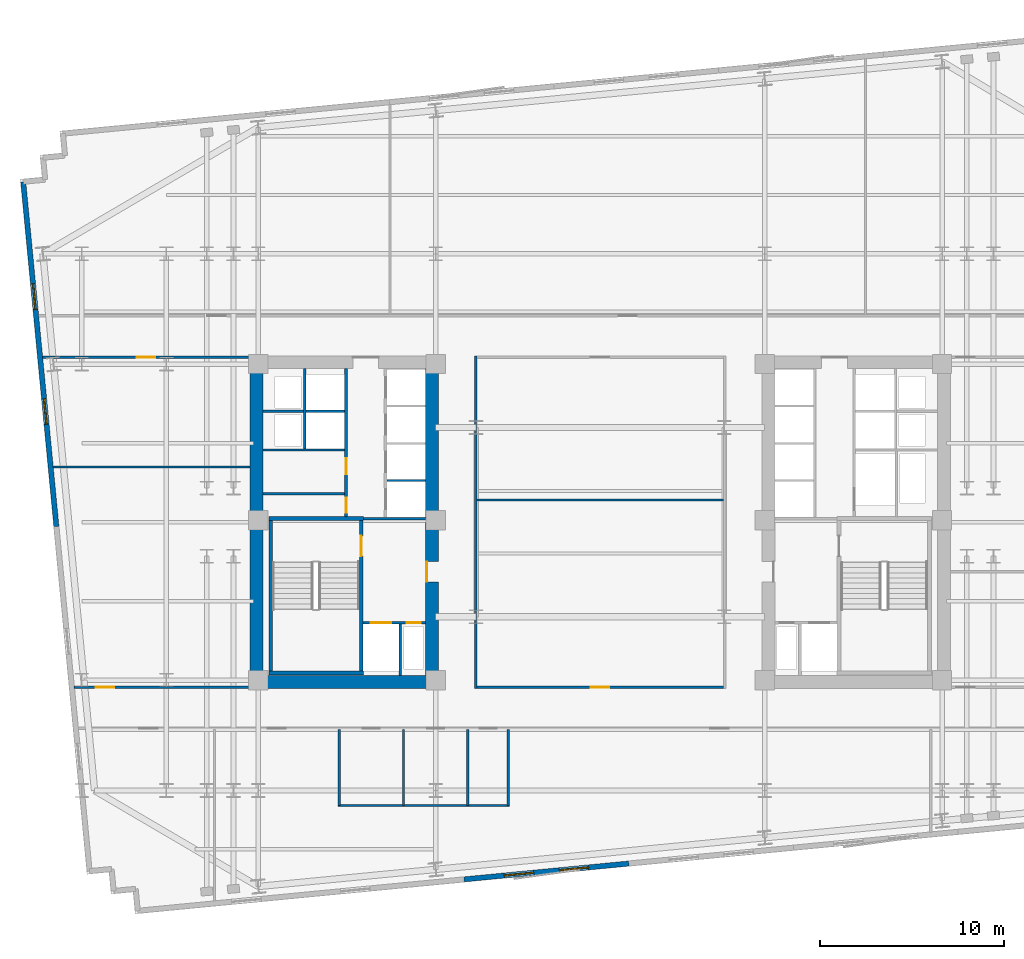
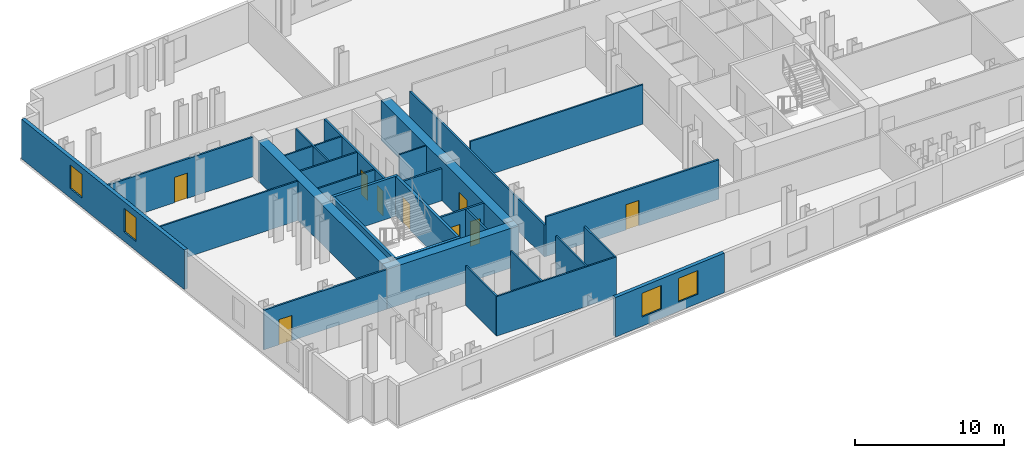
# One storey, part 4 of 10: 30 walls, 9 doors, 4 windows, 13 openings.
"""IFC4 building model written with IfcOpenShell, lengths in metres."""

from ifc_helpers import new_model, si_unit, direction, frame, frame_2d, origin, place, context, subcontext, project, spatial, rectangle, extrude, material, layer, layer_set, type_object, element, fill, save


model = new_model("IFC4")

# Units and contexts
model_context = context("Model", 3, precision=1e-05, world=origin(), true_north=direction((0.0, 1.0)))
body_context = subcontext(model_context, "Body", "Model", "MODEL_VIEW")
ifc_project = project(units=[si_unit("LENGTHUNIT", "METRE"), si_unit("AREAUNIT", "SQUARE_METRE"), si_unit("VOLUMEUNIT", "CUBIC_METRE"), si_unit("PLANEANGLEUNIT", "RADIAN"), si_unit("MASSUNIT", "GRAM", prefix="KILO")], contexts=[model_context])

# Site, building, storey
site_placement = place(None, origin())
site = spatial("IfcSite", under=ifc_project, at=site_placement, CompositionType="ELEMENT")
building_placement = place(site_placement, origin())
building = spatial("IfcBuilding", under=site, at=building_placement, Name="Velakula Bourse", CompositionType="ELEMENT")
storey_placement = place(building_placement, frame((0.0, 0.0, 81.10009765625)))
storey = spatial("IfcBuildingStorey", under=building, at=storey_placement, Name="L21", CompositionType="ELEMENT", Elevation=81.10009765625)

# Wall, opening, door
ifc_material_1 = material(Name="Concrete M50 (fck 50 MPa)", Category="concrete")
ifc_layer_1 = layer(ifc_material_1, 0.2099609375, Name="Concrete M50 (fck 50 MPa)", Category="concrete")
ifc_layer_set_1 = layer_set([ifc_layer_1], Name="Concrete M50 (fck 50 MPa)")
wall_type_1 = type_object("IfcWallType", Name="WL-CORE-210", PredefinedType="SHEAR", material=ifc_layer_set_1)
wall_1_placement = place(storey_placement, frame((-12.9951171875, -8.10009765625, 0.0), z_axis=(0.0, 0.0, 1.0), x_axis=(0.0, 1.0, 0.0)))
wall_1 = element("IfcWall", 1, at=wall_1_placement, inside=storey, type_object=wall_type_1, Name="L21 Core W Stairwell Shear Wall IN", PredefinedType="SHEAR", context=body_context, shape_type="SweptSolid", body=[
    extrude(rectangle(XDim=8.2001953125, YDim=0.2099609375, at=frame_2d((4.10009765625, 0.0))), origin(), (0.0, 0.0, 1.0), 3.27001953125),
])
opening_1_placement = place(wall_1_placement, frame((6.25, 0.0, 0.0)))
opening_1 = element("IfcOpeningElement", 2, at=opening_1_placement, cuts=wall_1, Name="Opening D-STW1", PredefinedType="OPENING", context=body_context, shape_type="SweptSolid", body=[
    extrude(rectangle(XDim=1.10009765625, YDim=2.14990234375, at=frame_2d((0.550048828125, 1.074951171875))), frame((0.0, 0.114990234375, 0.0), z_axis=(0.0, -1.0, 0.0), x_axis=(1.0, 0.0, 0.0)), (0.0, 0.0, 1.0), 0.22998046875),
])
ifc_material_2 = material(Name="Galvanised painted hollow steel fire door", Category="steel")
door_type_1 = type_object("IfcDoorType", Name="DR-FD120-1100x2150", OperationType="NOTDEFINED", PredefinedType="DOOR", material=ifc_material_2)
door_1_placement = place(opening_1_placement, origin())
door_1 = element("IfcDoor", 3, at=door_1_placement, inside=storey, type_object=door_type_1, Name="L21 Stair ST-W1 Fire Door", OperationType="SINGLE_SWING_LEFT", OverallHeight=2.14990234375, OverallWidth=1.10009765625, PredefinedType="DOOR", context=body_context, shape_type="SweptSolid", body=[
    extrude(rectangle(XDim=1.10009765625, YDim=2.14990234375, at=frame_2d((0.550048828125, 1.074951171875))), frame((0.0, 0.02490234375, 0.0), z_axis=(0.0, -1.0, 0.0), x_axis=(1.0, 0.0, 0.0)), (0.0, 0.0, 1.0), 0.050048828125),
])
fill(opening_1, door_1)

# Walls
wall_2_placement = place(storey_placement, frame((-17.925048828125, -8.10009765625, 0.0), z_axis=(0.0, 0.0, 1.0), x_axis=(0.0, 1.0, 0.0)))
element("IfcWall", 4, at=wall_2_placement, inside=storey, type_object=wall_type_1, Name="L21 Core W Stairwell Shear Wall OUT", PredefinedType="SHEAR", context=body_context, shape_type="SweptSolid", body=[
    extrude(rectangle(XDim=8.2001953125, YDim=0.2099609375, at=frame_2d((4.10009765625, 0.0))), origin(), (0.0, 0.0, 1.0), 3.27001953125),
])
for number, where, z_axis, x_axis, name in (
    (5, (-18.030029296875, -8.205078125, 0.0), (0.0, 0.0, 1.0), (1.0, 0.0, 0.0), "L21 Core W Stairwell Shear Wall S"),
    (6, (-12.889892578125, 0.205078125, 0.0), (0.0, 0.0, 1.0), (-1.0, 0.0, 0.0), "L21 Core W Stairwell Shear Wall N"),
):
    element("IfcWall", number, at=place(storey_placement, frame(where, z_axis=z_axis, x_axis=x_axis)), inside=storey, type_object=wall_type_1, Name=name, PredefinedType="SHEAR", context=body_context, shape_type="SweptSolid", body=[
        extrude(rectangle(XDim=5.14013671875, YDim=0.2099609375, at=frame_2d((2.570068359375, 0.0))), origin(), (0.0, 0.0, 1.0), 3.27001953125),
    ])
ifc_material_3 = material(Name="Concrete M70 (fck 70 MPa)", Category="concrete")
ifc_layer_2 = layer(ifc_material_3, 0.699951171875, Name="Concrete M70 (fck 70 MPa)", Category="concrete")
ifc_layer_set_2 = layer_set([ifc_layer_2], Name="Concrete M70 (fck 70 MPa)")
wall_type_2 = type_object("IfcWallType", Name="WL-CORE-700", PredefinedType="SHEAR", material=ifc_layer_set_2)
wall_3_placement = place(storey_placement, frame((-19.050048828125, -8.699951171875, 0.0), z_axis=(0.0, 0.0, 1.0), x_axis=(1.0, 0.0, 0.0)))
element("IfcWall", 7, at=wall_3_placement, inside=storey, type_object=wall_type_2, Name="L21 Core W Shear Wall S", PredefinedType="SHEAR", context=body_context, shape_type="SweptSolid", body=[
    extrude(rectangle(XDim=10.25, YDim=0.699951171875, at=frame_2d((5.125, 0.0))), origin(), (0.0, 0.0, 1.0), 3.27001953125),
])
wall_4_placement = place(storey_placement, frame((-18.699951171875, -8.35009765625, 0.0), z_axis=(0.0, 0.0, 1.0), x_axis=(0.0, 1.0, 0.0)))
element("IfcWall", 8, at=wall_4_placement, inside=storey, type_object=wall_type_2, Name="L21 Core W Shear Wall W", PredefinedType="SHEAR", context=body_context, shape_type="SweptSolid", body=[
    extrude(rectangle(XDim=16.7001953125, YDim=0.699951171875, at=frame_2d((8.35009765625, 0.0))), origin(), (0.0, 0.0, 1.0), 3.27001953125),
])

# Wall, opening, door
wall_5_placement = place(storey_placement, frame((-9.14990234375, -8.35009765625, 0.0), z_axis=(0.0, 0.0, 1.0), x_axis=(0.0, 1.0, 0.0)))
wall_5 = element("IfcWall", 9, at=wall_5_placement, inside=storey, type_object=wall_type_2, Name="L21 Core W Shear Wall E", PredefinedType="SHEAR", context=body_context, shape_type="SweptSolid", body=[
    extrude(rectangle(XDim=16.7001953125, YDim=0.699951171875, at=frame_2d((8.35009765625, 0.0))), origin(), (0.0, 0.0, 1.0), 3.27001953125),
])
opening_2_placement = place(wall_5_placement, frame((5.10009765625, 0.0, 0.0)))
opening_2 = element("IfcOpeningElement", 10, at=opening_2_placement, cuts=wall_5, Name="Opening D-FLW", PredefinedType="OPENING", context=body_context, shape_type="SweptSolid", body=[
    extrude(rectangle(XDim=1.10009765625, YDim=2.080078125, at=frame_2d((0.550048828125, 1.0400390625))), frame((0.0, 0.35986328125, 0.0), z_axis=(0.0, -1.0, 0.0), x_axis=(1.0, 0.0, 0.0)), (0.0, 0.0, 1.0), 0.719970703125),
])
door_type_2 = type_object("IfcDoorType", Name="DR-FD120-1100", OperationType="NOTDEFINED", PredefinedType="DOOR", material=ifc_material_2)
door_2_placement = place(opening_2_placement, origin())
door_2 = element("IfcDoor", 11, at=door_2_placement, inside=storey, type_object=door_type_2, Name="L21 Firefighting Lobby W Corridor Fire Door", OperationType="SINGLE_SWING_LEFT", OverallHeight=2.080078125, OverallWidth=1.10009765625, PredefinedType="DOOR", context=body_context, shape_type="SweptSolid", body=[
    extrude(rectangle(XDim=1.10009765625, YDim=2.080078125, at=frame_2d((0.550048828125, 1.0400390625))), frame((0.0, 0.30517578125, 0.0), z_axis=(0.0, -1.0, 0.0), x_axis=(1.0, 0.0, 0.0)), (0.0, 0.0, 1.0), 0.050048828125),
])
fill(opening_2, door_2)

# Wall, openings, windows
ifc_material_4 = material(Name="Red kilned clay facing brick masonry", Category="masonry")
ifc_layer_3 = layer(ifc_material_4, 0.280029296875, Name="Red kilned clay facing brick masonry", Category="masonry")
ifc_layer_set_3 = layer_set([ifc_layer_3], Name="Red kilned clay facing brick masonry")
wall_type_3 = type_object("IfcWallType", Name="WL-EXT-BRK-280", PredefinedType="STANDARD", material=ifc_layer_set_3)
wall_6_placement = place(storey_placement, frame((1.556396484375, -18.573486328125, 0.0), z_axis=(0.0, 0.0, 1.0), x_axis=(-0.995396794462, -0.09583956164, 0.0)))
wall_6 = element("IfcWall", 12, at=wall_6_placement, inside=storey, type_object=wall_type_3, Name="L21 S Brick Spandrel Wall B2", PredefinedType="STANDARD", context=body_context, shape_type="SweptSolid", body=[
    extrude(rectangle(XDim=9.0, YDim=0.280029296875, at=frame_2d((4.5, 0.0))), origin(), (0.0, 0.0, 1.0), 3.25),
])
opening_3_placement = place(wall_6_placement, frame((2.199951171875, 0.0, 0.760009765625)))
opening_3 = element("IfcOpeningElement", 13, at=opening_3_placement, cuts=wall_6, Name="Opening W-02", PredefinedType="OPENING", context=body_context, shape_type="SweptSolid", body=[
    extrude(rectangle(XDim=1.60009765625, YDim=1.949951171875, at=frame_2d((0.800048828125, 0.97509765625))), frame((0.0, 0.14990234375, 0.0), z_axis=(0.0, -1.0, 0.0), x_axis=(1.0, 0.0, 0.0)), (0.0, 0.0, 1.0), 0.300048828125),
])
opening_4_placement = place(wall_6_placement, frame((5.199951171875, 0.0, 0.760009765625)))
opening_4 = element("IfcOpeningElement", 14, at=opening_4_placement, cuts=wall_6, Name="Opening W-02", PredefinedType="OPENING", context=body_context, shape_type="SweptSolid", body=[
    extrude(rectangle(XDim=1.60009765625, YDim=1.949951171875, at=frame_2d((0.800048828125, 0.97509765625))), frame((0.0, 0.14990234375, 0.0), z_axis=(0.0, -1.0, 0.0), x_axis=(1.0, 0.0, 0.0)), (0.0, 0.0, 1.0), 0.300048828125),
])
ifc_material_5 = material(Name="Double-glazed solar-control Low-E glass", Category="glass")
window_type_1 = type_object("IfcWindowType", Name="WIN-TWR-1600x2100", PartitioningType="SINGLE_PANEL", PredefinedType="WINDOW", material=ifc_material_5)
window_1_placement = place(opening_3_placement, origin())
window_1 = element("IfcWindow", 15, at=window_1_placement, inside=storey, type_object=window_type_1, Name="L21 Deep-Set Recessed Window 1", OverallHeight=1.949951171875, OverallWidth=1.60009765625, PartitioningType="SINGLE_PANEL", PredefinedType="WINDOW", context=body_context, shape_type="SweptSolid", body=[
    extrude(rectangle(XDim=1.60009765625, YDim=1.949951171875, at=frame_2d((0.800048828125, 0.97509765625))), frame((0.0, 0.030029296875, 0.0), z_axis=(0.0, -1.0, 0.0), x_axis=(1.0, 0.0, 0.0)), (0.0, 0.0, 1.0), 0.06005859375),
])
fill(opening_3, window_1)
window_2_placement = place(opening_4_placement, origin())
window_2 = element("IfcWindow", 16, at=window_2_placement, inside=storey, type_object=window_type_1, Name="L21 Deep-Set Recessed Window 2", OverallHeight=1.949951171875, OverallWidth=1.60009765625, PartitioningType="SINGLE_PANEL", PredefinedType="WINDOW", context=body_context, shape_type="SweptSolid", body=[
    extrude(rectangle(XDim=1.60009765625, YDim=1.949951171875, at=frame_2d((0.800048828125, 0.97509765625))), frame((0.0, 0.030029296875, 0.0), z_axis=(0.0, -1.0, 0.0), x_axis=(1.0, 0.0, 0.0)), (0.0, 0.0, 1.0), 0.06005859375),
])
fill(opening_4, window_2)

wall_7_placement = place(storey_placement, frame((-29.584716796875, -0.23388671875, 0.0), z_axis=(0.0, 0.0, 1.0), x_axis=(-0.095841297881, 0.99539662729, 0.0)))
wall_7 = element("IfcWall", 17, at=wall_7_placement, inside=storey, type_object=wall_type_3, Name="L21 W Brick End Wall W2", PredefinedType="STANDARD", context=body_context, shape_type="SweptSolid", body=[
    extrude(rectangle(XDim=18.840087890625, YDim=0.280029296875, at=frame_2d((9.419921875, 0.0))), origin(), (0.0, 0.0, 1.0), 3.25),
])
opening_5_placement = place(wall_7_placement, frame((5.580078125, 0.0, 0.760009765625)))
opening_5 = element("IfcOpeningElement", 18, at=opening_5_placement, cuts=wall_7, Name="Opening W-03", PredefinedType="OPENING", context=body_context, shape_type="SweptSolid", body=[
    extrude(rectangle(XDim=1.39990234375, YDim=1.949951171875, at=frame_2d((0.699951171875, 0.97509765625))), frame((0.0, 0.14990234375, 0.0), z_axis=(0.0, -1.0, 0.0), x_axis=(1.0, 0.0, 0.0)), (0.0, 0.0, 1.0), 0.300048828125),
])
opening_6_placement = place(wall_7_placement, frame((11.860107421875, 0.0, 0.760009765625)))
opening_6 = element("IfcOpeningElement", 19, at=opening_6_placement, cuts=wall_7, Name="Opening W-03", PredefinedType="OPENING", context=body_context, shape_type="SweptSolid", body=[
    extrude(rectangle(XDim=1.39990234375, YDim=1.949951171875, at=frame_2d((0.699951171875, 0.97509765625))), frame((0.0, 0.14990234375, 0.0), z_axis=(0.0, -1.0, 0.0), x_axis=(1.0, 0.0, 0.0)), (0.0, 0.0, 1.0), 0.300048828125),
])
window_type_2 = type_object("IfcWindowType", Name="WIN-TWR-1400x2100", PartitioningType="SINGLE_PANEL", PredefinedType="WINDOW", material=ifc_material_5)
window_3_placement = place(opening_5_placement, origin())
window_3 = element("IfcWindow", 20, at=window_3_placement, inside=storey, type_object=window_type_2, Name="L21 Deep-Set Recessed Window 1", OverallHeight=1.949951171875, OverallWidth=1.39990234375, PartitioningType="SINGLE_PANEL", PredefinedType="WINDOW", context=body_context, shape_type="SweptSolid", body=[
    extrude(rectangle(XDim=1.39990234375, YDim=1.949951171875, at=frame_2d((0.699951171875, 0.97509765625))), frame((0.0, 0.030029296875, 0.0), z_axis=(0.0, -1.0, 0.0), x_axis=(1.0, 0.0, 0.0)), (0.0, 0.0, 1.0), 0.06005859375),
])
fill(opening_5, window_3)
window_4_placement = place(opening_6_placement, origin())
window_4 = element("IfcWindow", 21, at=window_4_placement, inside=storey, type_object=window_type_2, Name="L21 Deep-Set Recessed Window 2", OverallHeight=1.949951171875, OverallWidth=1.39990234375, PartitioningType="SINGLE_PANEL", PredefinedType="WINDOW", context=body_context, shape_type="SweptSolid", body=[
    extrude(rectangle(XDim=1.39990234375, YDim=1.949951171875, at=frame_2d((0.699951171875, 0.97509765625))), frame((0.0, 0.030029296875, 0.0), z_axis=(0.0, -1.0, 0.0), x_axis=(1.0, 0.0, 0.0)), (0.0, 0.0, 1.0), 0.06005859375),
])
fill(opening_6, window_4)

# Walls
ifc_material_6 = material(Name="Fire-rated double-layer gypsum drywall partition", Category="gypsum")
ifc_layer_4 = layer(ifc_material_6, 0.1201171875, Name="Fire-rated double-layer gypsum drywall partition", Category="gypsum")
ifc_layer_set_4 = layer_set([ifc_layer_4], Name="Fire-rated double-layer gypsum drywall partition")
wall_type_4 = type_object("IfcWallType", Name="WL-PART-120", PredefinedType="STANDARD", material=ifc_layer_set_4)
wall_8_placement = place(storey_placement, frame((-11.60009765625, 2.2548828125, 0.0), z_axis=(0.0, 0.0, 1.0), x_axis=(1.0, 0.0, 0.0)))
element("IfcWall", 22, at=wall_8_placement, inside=storey, type_object=wall_type_4, Name="L21 Interior Partition WL-CRW-L21-BDIV-0", PredefinedType="STANDARD", context=body_context, shape_type="SweptSolid", body=[
    extrude(rectangle(XDim=2.10009765625, YDim=0.110107421875, at=frame_2d((1.050048828125, 0.0))), origin(), (0.0, 0.0, 1.0), 3.25),
])
wall_9_placement = place(storey_placement, frame((-18.35009765625, 3.919921875, 0.0), z_axis=(0.0, 0.0, 1.0), x_axis=(1.0, 0.0, 0.0)))
element("IfcWall", 23, at=wall_9_placement, inside=storey, type_object=wall_type_4, Name="L21 Interior Partition WL-CRW-L21-HI-S", PredefinedType="STANDARD", context=body_context, shape_type="SweptSolid", body=[
    extrude(rectangle(XDim=4.4501953125, YDim=0.1201171875, at=frame_2d((2.22509765625, 0.0))), origin(), (0.0, 0.0, 1.0), 3.25),
])
wall_10_placement = place(storey_placement, frame((-18.35009765625, 6.030029296875, 0.0), z_axis=(0.0, 0.0, 1.0), x_axis=(1.0, 0.0, 0.0)))
element("IfcWall", 24, at=wall_10_placement, inside=storey, type_object=wall_type_4, Name="L21 Interior Partition WL-CRW-L21-RIS-MID", PredefinedType="STANDARD", context=body_context, shape_type="SweptSolid", body=[
    extrude(rectangle(XDim=2.2001953125, YDim=0.1201171875, at=frame_2d((1.10009765625, 0.0))), origin(), (0.0, 0.0, 1.0), 3.25),
])
wall_11_placement = place(storey_placement, frame((-16.074951171875, 3.97998046875, 0.0), z_axis=(0.0, 0.0, 1.0), x_axis=(0.0, 1.0, 0.0)))
element("IfcWall", 25, at=wall_11_placement, inside=storey, type_object=wall_type_4, Name="L21 Interior Partition WL-CRW-L21-RIS-F", PredefinedType="STANDARD", context=body_context, shape_type="SweptSolid", body=[
    extrude(rectangle(XDim=4.3701171875, YDim=0.1201171875, at=frame_2d((2.18505859375, 0.0))), origin(), (0.0, 0.0, 1.0), 3.25),
])
wall_12_placement = place(storey_placement, frame((-16.0, 6.030029296875, 0.0), z_axis=(0.0, 0.0, 1.0), x_axis=(1.0, 0.0, 0.0)))
element("IfcWall", 26, at=wall_12_placement, inside=storey, type_object=wall_type_4, Name="L21 Interior Partition WL-CRW-L21-HI-DIV", PredefinedType="STANDARD", context=body_context, shape_type="SweptSolid", body=[
    extrude(rectangle(XDim=2.10009765625, YDim=0.1201171875, at=frame_2d((1.050048828125, 0.0))), origin(), (0.0, 0.0, 1.0), 3.25),
])
wall_13_placement = place(storey_placement, frame((-18.35009765625, 1.550048828125, 0.0), z_axis=(0.0, 0.0, 1.0), x_axis=(1.0, 0.0, 0.0)))
element("IfcWall", 27, at=wall_13_placement, inside=storey, type_object=wall_type_4, Name="L21 Interior Partition WL-CRW-L21-K1", PredefinedType="STANDARD", context=body_context, shape_type="SweptSolid", body=[
    extrude(rectangle(XDim=4.4501953125, YDim=0.1201171875, at=frame_2d((2.22509765625, 0.0))), origin(), (0.0, 0.0, 1.0), 3.25),
])
wall_14_placement = place(storey_placement, frame((-14.260009765625, -15.419921875, 0.0), z_axis=(0.0, 0.0, 1.0), x_axis=(1.0, 0.0, 0.0)))
element("IfcWall", 28, at=wall_14_placement, inside=storey, type_object=wall_type_4, Name="L21 Interior Partition WL-WC-L21-BACK", PredefinedType="STANDARD", context=body_context, shape_type="SweptSolid", body=[
    extrude(rectangle(XDim=9.320068359375, YDim=0.1201171875, at=frame_2d((4.66015625, 0.0))), origin(), (0.0, 0.0, 1.0), 3.25),
])
for number, where, z_axis, x_axis, name in (
    (29, (-14.199951171875, -15.419921875, 0.0), (0.0, 0.0, 1.0), (0.0, 1.0, 0.0), "L21 Interior Partition WL-WC-L21-V1"),
    (30, (-10.699951171875, -15.419921875, 0.0), (0.0, 0.0, 1.0), (0.0, 1.0, 0.0), "L21 Interior Partition WL-WC-L21-V2"),
    (31, (-7.199951171875, -15.419921875, 0.0), (0.0, 0.0, 1.0), (0.0, 1.0, 0.0), "L21 Interior Partition WL-WC-L21-V3"),
    (32, (-5.0, -15.419921875, 0.0), (0.0, 0.0, 1.0), (0.0, 1.0, 0.0), "L21 Interior Partition WL-WC-L21-V4"),
):
    element("IfcWall", number, at=place(storey_placement, frame(where, z_axis=z_axis, x_axis=x_axis)), inside=storey, type_object=wall_type_4, Name=name, PredefinedType="STANDARD", context=body_context, shape_type="SweptSolid", body=[
        extrude(rectangle(XDim=4.1298828125, YDim=0.1201171875, at=frame_2d((2.06494140625, 0.0))), origin(), (0.0, 0.0, 1.0), 3.25),
    ])
wall_15_placement = place(storey_placement, frame((-29.775390625, 3.0, 0.0), z_axis=(0.0, 0.0, 1.0), x_axis=(1.0, 0.0, 0.0)))
element("IfcWall", 33, at=wall_15_placement, inside=storey, type_object=wall_type_4, Name="L21 Interior Partition WL-INT-L21-W-H", PredefinedType="STANDARD", context=body_context, shape_type="SweptSolid", body=[
    extrude(rectangle(XDim=10.725341796875, YDim=0.1201171875, at=frame_2d((5.36279296875, 0.0))), origin(), (0.0, 0.0, 1.0), 3.25),
])

# Wall, opening, door
ifc_layer_5 = layer(ifc_material_6, 0.139892578125, Name="Fire-rated double-layer gypsum drywall partition", Category="gypsum")
ifc_layer_set_5 = layer_set([ifc_layer_5], Name="Fire-rated double-layer gypsum drywall partition")
wall_type_5 = type_object("IfcWallType", Name="WL-PART-140", PredefinedType="STANDARD", material=ifc_layer_set_5)
wall_16_placement = place(storey_placement, frame((-30.351318359375, 8.97998046875, 0.0), z_axis=(0.0, 0.0, 1.0), x_axis=(1.0, 0.0, 0.0)))
wall_16 = element("IfcWall", 34, at=wall_16_placement, inside=storey, type_object=wall_type_5, Name="L21 Interior Partition WL-INT-L21-W-NC", PredefinedType="STANDARD", context=body_context, shape_type="SweptSolid", body=[
    extrude(rectangle(XDim=11.30126953125, YDim=0.139892578125, at=frame_2d((5.650634765625, 0.0))), origin(), (0.0, 0.0, 1.0), 3.25),
])
opening_7_placement = place(wall_16_placement, frame((5.150634765625, 0.0, 0.0)))
opening_7 = element("IfcOpeningElement", 35, at=opening_7_placement, cuts=wall_16, Name="Opening D-OF1", PredefinedType="OPENING", context=body_context, shape_type="SweptSolid", body=[
    extrude(rectangle(XDim=1.0, YDim=2.080078125, at=frame_2d((0.5, 1.0400390625))), frame((0.0, 0.079833984375, 0.0), z_axis=(0.0, -1.0, 0.0), x_axis=(1.0, 0.0, 0.0)), (0.0, 0.0, 1.0), 0.159912109375),
])
ifc_material_7 = material(Name="Fire-rated hardwood flush architectural door", Category="wood")
door_type_3 = type_object("IfcDoorType", Name="DR-OFF-1000", OperationType="NOTDEFINED", PredefinedType="DOOR", material=ifc_material_7)
door_3_placement = place(opening_7_placement, origin())
door_3 = element("IfcDoor", 36, at=door_3_placement, inside=storey, type_object=door_type_3, Name="L21 Broadcast Control Office Door", OperationType="SINGLE_SWING_LEFT", OverallHeight=2.080078125, OverallWidth=1.0, PredefinedType="DOOR", context=body_context, shape_type="SweptSolid", body=[
    extrude(rectangle(XDim=1.0, YDim=2.080078125, at=frame_2d((0.5, 1.0400390625))), frame((0.0, 0.02490234375, 0.0), z_axis=(0.0, -1.0, 0.0), x_axis=(1.0, 0.0, 0.0)), (0.0, 0.0, 1.0), 0.050048828125),
])
fill(opening_7, door_3)

wall_17_placement = place(storey_placement, frame((-28.6220703125, -8.97998046875, 0.0), z_axis=(0.0, 0.0, 1.0), x_axis=(1.0, 0.0, 0.0)))
wall_17 = element("IfcWall", 37, at=wall_17_placement, inside=storey, type_object=wall_type_5, Name="L21 Interior Partition WL-INT-L21-W-SC", PredefinedType="STANDARD", context=body_context, shape_type="SweptSolid", body=[
    extrude(rectangle(XDim=9.572021484375, YDim=0.139892578125, at=frame_2d((4.7861328125, 0.0))), origin(), (0.0, 0.0, 1.0), 3.25),
])
opening_8_placement = place(wall_17_placement, frame((1.177490234375, 0.0, 0.0)))
opening_8 = element("IfcOpeningElement", 38, at=opening_8_placement, cuts=wall_17, Name="Opening D-OF1", PredefinedType="OPENING", context=body_context, shape_type="SweptSolid", body=[
    extrude(rectangle(XDim=1.0, YDim=2.080078125, at=frame_2d((0.5, 1.0400390625))), frame((0.0, 0.079833984375, 0.0), z_axis=(0.0, -1.0, 0.0), x_axis=(1.0, 0.0, 0.0)), (0.0, 0.0, 1.0), 0.159912109375),
])
door_4_placement = place(opening_8_placement, origin())
door_4 = element("IfcDoor", 39, at=door_4_placement, inside=storey, type_object=door_type_3, Name="L21 Sovereign Wealth Desk Workspace Door", OperationType="SINGLE_SWING_RIGHT", OverallHeight=2.080078125, OverallWidth=1.0, PredefinedType="DOOR", context=body_context, shape_type="SweptSolid", body=[
    extrude(rectangle(XDim=1.0, YDim=2.080078125, at=frame_2d((0.5, 1.0400390625))), frame((0.0, 0.02490234375, 0.0), z_axis=(0.0, -1.0, 0.0), x_axis=(1.0, 0.0, 0.0)), (0.0, 0.0, 1.0), 0.050048828125),
])
fill(opening_8, door_4)

# Wall
wall_18_placement = place(storey_placement, frame((-6.780029296875, -9.050048828125, 0.0), z_axis=(0.0, 0.0, 1.0), x_axis=(0.0, 1.0, 0.0)))
element("IfcWall", 40, at=wall_18_placement, inside=storey, type_object=wall_type_5, Name="L21 Interior Partition WL-INT-L21-MID-W", PredefinedType="STANDARD", context=body_context, shape_type="SweptSolid", body=[
    extrude(rectangle(XDim=18.10009765625, YDim=0.139892578125, at=frame_2d((9.050048828125, 0.0))), origin(), (0.0, 0.0, 1.0), 2.64501953125),
])

# Wall, opening, door
wall_19_placement = place(storey_placement, frame((-6.7099609375, -8.97998046875, 0.0), z_axis=(0.0, 0.0, 1.0), x_axis=(1.0, 0.0, 0.0)))
wall_19 = element("IfcWall", 41, at=wall_19_placement, inside=storey, type_object=wall_type_5, Name="L21 Interior Partition WL-INT-L21-MID-S", PredefinedType="STANDARD", context=body_context, shape_type="SweptSolid", body=[
    extrude(rectangle(XDim=13.419921875, YDim=0.139892578125, at=frame_2d((6.7099609375, 0.0))), origin(), (0.0, 0.0, 1.0), 3.25),
])
opening_9_placement = place(wall_19_placement, frame((6.2099609375, 0.0, 0.0)))
opening_9 = element("IfcOpeningElement", 42, at=opening_9_placement, cuts=wall_19, Name="Opening D-OF1", PredefinedType="OPENING", context=body_context, shape_type="SweptSolid", body=[
    extrude(rectangle(XDim=1.0, YDim=2.080078125, at=frame_2d((0.5, 1.0400390625))), frame((0.0, 0.079833984375, 0.0), z_axis=(0.0, -1.0, 0.0), x_axis=(1.0, 0.0, 0.0)), (0.0, 0.0, 1.0), 0.159912109375),
])
door_5_placement = place(opening_9_placement, origin())
door_5 = element("IfcDoor", 43, at=door_5_placement, inside=storey, type_object=door_type_3, Name="L21 Central Dealing Chamber South Door", OperationType="SINGLE_SWING_LEFT", OverallHeight=2.080078125, OverallWidth=1.0, PredefinedType="DOOR", context=body_context, shape_type="SweptSolid", body=[
    extrude(rectangle(XDim=1.0, YDim=2.080078125, at=frame_2d((0.5, 1.0400390625))), frame((0.0, 0.02490234375, 0.0), z_axis=(0.0, -1.0, 0.0), x_axis=(1.0, 0.0, 0.0)), (0.0, 0.0, 1.0), 0.050048828125),
])
fill(opening_9, door_5)

# Wall
wall_20_placement = place(storey_placement, frame((-6.7099609375, 1.199951171875, 0.0), z_axis=(0.0, 0.0, 1.0), x_axis=(1.0, 0.0, 0.0)))
element("IfcWall", 44, at=wall_20_placement, inside=storey, type_object=wall_type_5, Name="L21 Interior Partition WL-INT-L21-MDY", PredefinedType="STANDARD", context=body_context, shape_type="SweptSolid", body=[
    extrude(rectangle(XDim=13.419921875, YDim=0.1201171875, at=frame_2d((6.7099609375, 0.0))), origin(), (0.0, 0.0, 1.0), 3.25),
])

# Wall, openings, doors
ifc_material_8 = material(Name="Autoclaved aerated concrete blockwork masonry", Category="masonry")
ifc_layer_6 = layer(ifc_material_8, 0.14990234375, Name="Autoclaved aerated concrete blockwork masonry", Category="masonry")
ifc_layer_set_6 = layer_set([ifc_layer_6], Name="Autoclaved aerated concrete blockwork masonry")
wall_type_6 = type_object("IfcWallType", Name="WL-SHAFT-150", PredefinedType="STANDARD", material=ifc_layer_set_6)
wall_21_placement = place(storey_placement, frame((-12.89501953125, -5.47509765625, 0.0), z_axis=(0.0, 0.0, 1.0), x_axis=(1.0, 0.0, 0.0)))
wall_21 = element("IfcWall", 45, at=wall_21_placement, inside=storey, type_object=wall_type_6, Name="L21 Interior Partition WL-CRW-L21-FFL-N", PredefinedType="STANDARD", context=body_context, shape_type="SweptSolid", body=[
    extrude(rectangle(XDim=3.39501953125, YDim=0.14990234375, at=frame_2d((1.697509765625, 0.0))), origin(), (0.0, 0.0, 1.0), 3.25),
])
opening_10_placement = place(wall_21_placement, frame((0.419921875, 0.0, 0.0)))
opening_10 = element("IfcOpeningElement", 46, at=opening_10_placement, cuts=wall_21, Name="Opening LD-FFL-1", PredefinedType="OPENING", context=body_context, shape_type="SweptSolid", body=[
    extrude(rectangle(XDim=1.10009765625, YDim=2.14990234375, at=frame_2d((0.550048828125, 1.074951171875))), frame((0.0, 0.0849609375, 0.0), z_axis=(0.0, -1.0, 0.0), x_axis=(1.0, 0.0, 0.0)), (0.0, 0.0, 1.0), 0.169921875),
])
opening_11_placement = place(wall_21_placement, frame((2.3701171875, 0.0, 0.0)))
opening_11 = element("IfcOpeningElement", 47, at=opening_11_placement, cuts=wall_21, Name="Opening D-RS1", PredefinedType="OPENING", context=body_context, shape_type="SweptSolid", body=[
    extrude(rectangle(XDim=0.75, YDim=2.050048828125, at=frame_2d((0.375, 1.02490234375))), frame((0.0, 0.0849609375, 0.0), z_axis=(0.0, -1.0, 0.0), x_axis=(1.0, 0.0, 0.0)), (0.0, 0.0, 1.0), 0.169921875),
])
door_type_4 = type_object("IfcDoorType", Name="DR-RISER-800", OperationType="NOTDEFINED", PredefinedType="DOOR", material=ifc_material_2)
door_6_placement = place(opening_11_placement, origin())
door_6 = element("IfcDoor", 48, at=door_6_placement, inside=storey, type_object=door_type_4, Name="L21 Fire Riser Access Door", OperationType="SINGLE_SWING_LEFT", OverallHeight=2.050048828125, OverallWidth=0.75, PredefinedType="DOOR", context=body_context, shape_type="SweptSolid", body=[
    extrude(rectangle(XDim=0.75, YDim=2.050048828125, at=frame_2d((0.375, 1.02490234375))), frame((0.0, 0.02490234375, 0.0), z_axis=(0.0, -1.0, 0.0), x_axis=(1.0, 0.0, 0.0)), (0.0, 0.0, 1.0), 0.050048828125),
])
fill(opening_11, door_6)
ifc_material_9 = material(Name="Brushed grade 316 stainless steel", Category="steel")
door_type_5 = type_object("IfcDoorType", Name="DR-SLIDE-FFL-1100", OperationType="DOUBLE_DOOR_SLIDING", PredefinedType="DOOR", material=ifc_material_9)
door_7_placement = place(opening_10_placement, origin())
door_7 = element("IfcDoor", 49, at=door_7_placement, inside=storey, type_object=door_type_5, Name="L21 Firefighting Lift FFL-1 Sliding Landing Door", OperationType="DOUBLE_DOOR_SLIDING", OverallHeight=2.14990234375, OverallWidth=1.10009765625, PredefinedType="DOOR", context=body_context, shape_type="SweptSolid", body=[
    extrude(rectangle(XDim=1.10009765625, YDim=2.14990234375, at=frame_2d((0.550048828125, 1.074951171875))), frame((0.0, 0.02490234375, 0.0), z_axis=(0.0, -1.0, 0.0), x_axis=(1.0, 0.0, 0.0)), (0.0, 0.0, 1.0), 0.050048828125),
])
fill(opening_10, door_7)

# Walls
wall_22_placement = place(storey_placement, frame((-10.875, -8.35009765625, 0.0), z_axis=(0.0, 0.0, 1.0), x_axis=(0.0, 1.0, 0.0)))
element("IfcWall", 50, at=wall_22_placement, inside=storey, type_object=wall_type_6, Name="L21 Interior Partition WL-CRW-L21-FR-DIV", PredefinedType="STANDARD", context=body_context, shape_type="SweptSolid", body=[
    extrude(rectangle(XDim=2.800048828125, YDim=0.14990234375, at=frame_2d((1.39990234375, 0.0))), origin(), (0.0, 0.0, 1.0), 3.25),
])
wall_23_placement = place(storey_placement, frame((-12.889892578125, 0.18994140625, 0.0), z_axis=(0.0, 0.0, 1.0), x_axis=(1.0, 0.0, 0.0)))
element("IfcWall", 51, at=wall_23_placement, inside=storey, type_object=wall_type_6, Name="L21 Interior Partition WL-CRW-L21-FF-TOP", PredefinedType="STANDARD", context=body_context, shape_type="SweptSolid", body=[
    extrude(rectangle(XDim=3.389892578125, YDim=0.14990234375, at=frame_2d((1.69482421875, 0.0))), origin(), (0.0, 0.0, 1.0), 2.64501953125),
])

# Wall, openings, doors
wall_24_placement = place(storey_placement, frame((-13.824951171875, 0.27001953125, 0.0), z_axis=(0.0, 0.0, 1.0), x_axis=(0.0, 1.0, 0.0)))
wall_24 = element("IfcWall", 52, at=wall_24_placement, inside=storey, type_object=wall_type_6, Name="L21 Interior Partition WL-CRW-L21-OUT-F", PredefinedType="STANDARD", context=body_context, shape_type="SweptSolid", body=[
    extrude(rectangle(XDim=8.080078125, YDim=0.14990234375, at=frame_2d((4.0400390625, 0.0))), origin(), (0.0, 0.0, 1.0), 3.25),
])
opening_12_placement = place(wall_24_placement, frame((0.25, 0.0, 0.0)))
opening_12 = element("IfcOpeningElement", 53, at=opening_12_placement, cuts=wall_24, Name="Opening D-CS1", PredefinedType="OPENING", context=body_context, shape_type="SweptSolid", body=[
    extrude(rectangle(XDim=0.800048828125, YDim=2.050048828125, at=frame_2d((0.39990234375, 1.02490234375))), frame((0.0, 0.0849609375, 0.0), z_axis=(0.0, -1.0, 0.0), x_axis=(1.0, 0.0, 0.0)), (0.0, 0.0, 1.0), 0.169921875),
])
opening_13_placement = place(wall_24_placement, frame((2.35009765625, 0.0, 0.0)))
opening_13 = element("IfcOpeningElement", 54, at=opening_13_placement, cuts=wall_24, Name="Opening D-CW1", PredefinedType="OPENING", context=body_context, shape_type="SweptSolid", body=[
    extrude(rectangle(XDim=0.85009765625, YDim=2.050048828125, at=frame_2d((0.425048828125, 1.02490234375))), frame((0.0, 0.0849609375, 0.0), z_axis=(0.0, -1.0, 0.0), x_axis=(1.0, 0.0, 0.0)), (0.0, 0.0, 1.0), 0.169921875),
])
door_type_6 = type_object("IfcDoorType", Name="DR-INT-850", OperationType="NOTDEFINED", PredefinedType="DOOR", material=ifc_material_7)
door_8_placement = place(opening_13_placement, origin())
door_8 = element("IfcDoor", 55, at=door_8_placement, inside=storey, type_object=door_type_6, Name="L21 Core Janitor Closet Door", OperationType="SINGLE_SWING_RIGHT", OverallHeight=2.050048828125, OverallWidth=0.85009765625, PredefinedType="DOOR", context=body_context, shape_type="SweptSolid", body=[
    extrude(rectangle(XDim=0.85009765625, YDim=2.050048828125, at=frame_2d((0.425048828125, 1.02490234375))), frame((0.0, 0.02490234375, 0.0), z_axis=(0.0, -1.0, 0.0), x_axis=(1.0, 0.0, 0.0)), (0.0, 0.0, 1.0), 0.050048828125),
])
fill(opening_13, door_8)
door_type_7 = type_object("IfcDoorType", Name="DR-RISER-800x2050", OperationType="NOTDEFINED", PredefinedType="DOOR", material=ifc_material_2)
door_9_placement = place(opening_12_placement, origin())
door_9 = element("IfcDoor", 56, at=door_9_placement, inside=storey, type_object=door_type_7, Name="L21 Core Cleaner Store Door", OperationType="SINGLE_SWING_RIGHT", OverallHeight=2.050048828125, OverallWidth=0.800048828125, PredefinedType="DOOR", context=body_context, shape_type="SweptSolid", body=[
    extrude(rectangle(XDim=0.800048828125, YDim=2.050048828125, at=frame_2d((0.39990234375, 1.02490234375))), frame((0.0, 0.02490234375, 0.0), z_axis=(0.0, -1.0, 0.0), x_axis=(1.0, 0.0, 0.0)), (0.0, 0.0, 1.0), 0.050048828125),
])
fill(opening_12, door_9)

save(model, "model.ifc")
